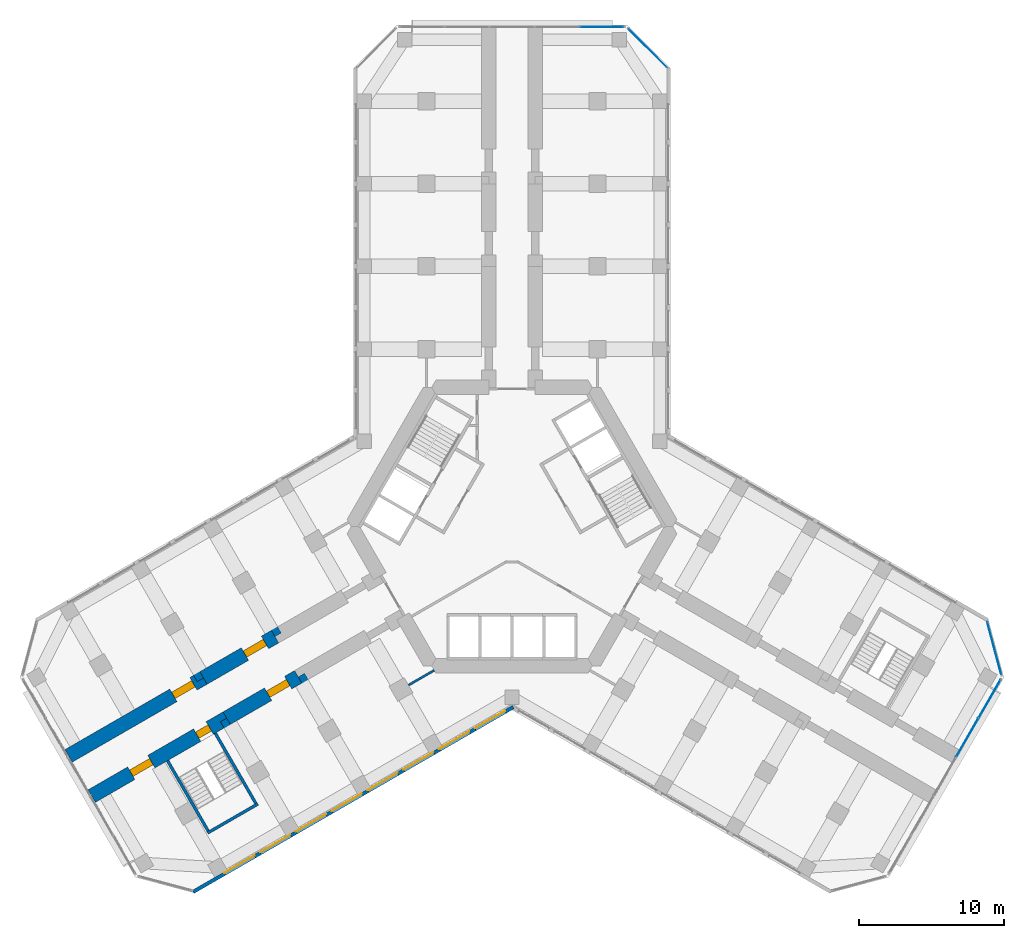
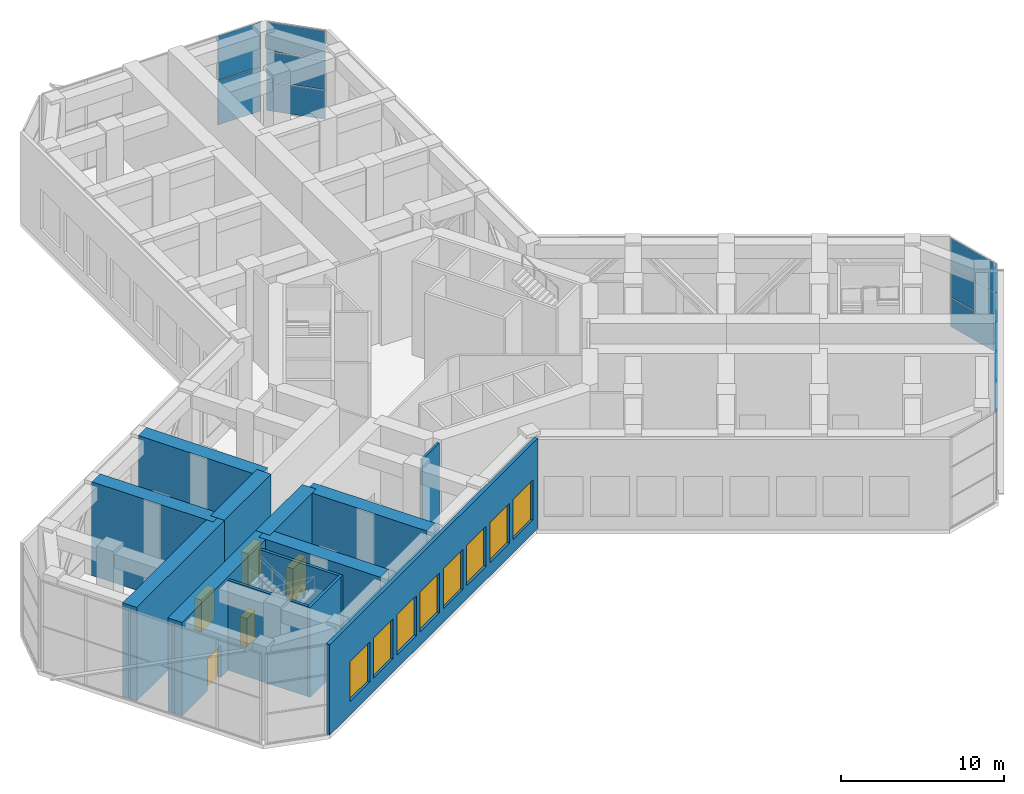
# One storey, part 10 of 17: 13 walls, 12 plates, 8 windows, 5 doors, 13 openings, 4 elements without a shape of their own.
"""IFC4 building model written with IfcOpenShell, lengths in metres."""

from ifc_helpers import new_model, si_unit, direction, frame, frame_2d, origin, origin_2d, place, context, subcontext, project, spatial, rectangle, extrude, material, layer, layer_set, type_object, element, fill, aggregate, save


model = new_model("IFC4")

# Units and contexts
model_context = context("Model", 3, precision=1e-05, world=origin(), true_north=direction((0.0, 1.0)))
body_context = subcontext(model_context, "Body", "Model", "MODEL_VIEW")
ifc_project = project(units=[si_unit("LENGTHUNIT", "METRE"), si_unit("AREAUNIT", "SQUARE_METRE"), si_unit("VOLUMEUNIT", "CUBIC_METRE"), si_unit("PLANEANGLEUNIT", "RADIAN"), si_unit("MASSUNIT", "GRAM", prefix="KILO")], contexts=[model_context])

# Site, building, storey
site_placement = place(None, origin())
site = spatial("IfcSite", under=ifc_project, at=site_placement, CompositionType="ELEMENT")
building_placement = place(site_placement, origin())
building = spatial("IfcBuilding", under=site, at=building_placement, Name="Kosmar Iwan School Tower", CompositionType="ELEMENT")
storey_placement = place(building_placement, frame((0.0, 0.0, 113.199951171875)))
storey = spatial("IfcBuildingStorey", under=building, at=storey_placement, Name="L28", CompositionType="ELEMENT", Elevation=113.199951171875)

# Curtain wall, plates
ifc_material_1 = material(Name="Black aluminium louvres and glass", Category="aluminium")
curtain_wall_type_1 = type_object("IfcCurtainWallType", Name="Plant floor louvred curtain wall", PredefinedType="USERDEFINED", material=ifc_material_1)
curtain_wall_1_placement = place(storey_placement, origin())
curtain_wall_1 = element("IfcCurtainWall", 1, at=curtain_wall_1_placement, inside=storey, type_object=curtain_wall_type_1, Name="Curtain wall L28-F03", ObjectType="LOUVRED CURTAIN WALL", PredefinedType="USERDEFINED")
ifc_material_2 = material(Name="Black anodised aluminium louvre blades", Category="aluminium")
ifc_layer_1 = layer(ifc_material_2, 0.050048828125)
ifc_layer_set_1 = layer_set([ifc_layer_1], Name="Aluminium louvre panel")
plate_type_1 = type_object("IfcPlateType", Name="Aluminium louvre panel", PredefinedType="SHEET", material=ifc_layer_set_1)
plate_1_placement = place(storey_placement, frame((31.40576171875, -14.553466796875, 0.06005859375), z_axis=(0.0, 0.0, 1.0), x_axis=(0.499999997325, 0.866025405329, 0.0)))
plate_1 = element("IfcPlate", 2, at=plate_1_placement, type_object=plate_type_1, Name="CW4 panel 4.1", PredefinedType="CURTAIN_PANEL", context=body_context, shape_type="SweptSolid", body=[
    extrude(rectangle(XDim=3.039306640625, YDim=0.050048828125, at=origin_2d()), origin(), (0.0, 0.0, 1.0), 3.284912109375),
])
plate_2_placement = place(storey_placement, frame((31.40576171875, -14.553466796875, 3.4052734375), z_axis=(0.0, 0.0, 1.0), x_axis=(0.499999997325, 0.866025405329, 0.0)))
plate_2 = element("IfcPlate", 3, at=plate_2_placement, type_object=plate_type_1, Name="CW4 panel 4.2", PredefinedType="CURTAIN_PANEL", context=body_context, shape_type="SweptSolid", body=[
    extrude(rectangle(XDim=3.039306640625, YDim=0.050048828125, at=origin_2d()), origin(), (0.0, 0.0, 1.0), 3.284912109375),
])
plate_3_placement = place(storey_placement, frame((32.947998046875, -11.88232421875, 0.06005859375), z_axis=(0.0, 0.0, 1.0), x_axis=(0.499999997325, 0.866025405329, 0.0)))
plate_3 = element("IfcPlate", 4, at=plate_3_placement, type_object=plate_type_1, Name="CW4 panel 5.1", PredefinedType="CURTAIN_PANEL", context=body_context, shape_type="SweptSolid", body=[
    extrude(rectangle(XDim=3.00927734375, YDim=0.050048828125, at=origin_2d()), origin(), (0.0, 0.0, 1.0), 3.284912109375),
])
plate_4_placement = place(storey_placement, frame((32.947998046875, -11.88232421875, 3.4052734375), z_axis=(0.0, 0.0, 1.0), x_axis=(0.499999997325, 0.866025405329, 0.0)))
plate_4 = element("IfcPlate", 5, at=plate_4_placement, type_object=plate_type_1, Name="CW4 panel 5.2", PredefinedType="CURTAIN_PANEL", context=body_context, shape_type="SweptSolid", body=[
    extrude(rectangle(XDim=3.00927734375, YDim=0.050048828125, at=origin_2d()), origin(), (0.0, 0.0, 1.0), 3.284912109375),
])
aggregate(curtain_wall_1, [plate_1, plate_2, plate_3, plate_4])

curtain_wall_2_placement = place(storey_placement, origin())
curtain_wall_2 = element("IfcCurtainWall", 6, at=curtain_wall_2_placement, inside=storey, type_object=curtain_wall_type_1, Name="Curtain wall L28-F08", ObjectType="LOUVRED CURTAIN WALL", PredefinedType="USERDEFINED")
plate_5_placement = place(storey_placement, frame((6.18359375, 34.47509765625, 0.06005859375), z_axis=(0.0, 0.0, 1.0), x_axis=(-1.0, 0.0, 0.0)))
plate_5 = element("IfcPlate", 7, at=plate_5_placement, type_object=plate_type_1, Name="CW4 panel 1.1", PredefinedType="CURTAIN_PANEL", context=body_context, shape_type="SweptSolid", body=[
    extrude(rectangle(XDim=3.00927734375, YDim=0.050048828125, at=origin_2d()), origin(), (0.0, 0.0, 1.0), 3.284912109375),
])
plate_6_placement = place(storey_placement, frame((6.18359375, 34.47509765625, 3.4052734375), z_axis=(0.0, 0.0, 1.0), x_axis=(-1.0, 0.0, 0.0)))
plate_6 = element("IfcPlate", 8, at=plate_6_placement, type_object=plate_type_1, Name="CW4 panel 1.2", PredefinedType="CURTAIN_PANEL", context=body_context, shape_type="SweptSolid", body=[
    extrude(rectangle(XDim=3.00927734375, YDim=0.050048828125, at=origin_2d()), origin(), (0.0, 0.0, 1.0), 3.284912109375),
])
aggregate(curtain_wall_2, [plate_5, plate_6])

ifc_material_3 = material(Name="Dark glass in black aluminium frame", Category="aluminium")
curtain_wall_type_2 = type_object("IfcCurtainWallType", Name="Chamfer curtain wall dark glass", PredefinedType="USERDEFINED", material=ifc_material_3)
curtain_wall_3_placement = place(storey_placement, origin())
curtain_wall_3 = element("IfcCurtainWall", 9, at=curtain_wall_3_placement, inside=storey, type_object=curtain_wall_type_2, Name="Curtain wall L28-F04", ObjectType="FACETED CURTAIN WALL", PredefinedType="USERDEFINED")
ifc_material_4 = material(Name="Dark glass", Category="glass")
ifc_layer_2 = layer(ifc_material_4, 0.028076171875)
ifc_layer_set_2 = layer_set([ifc_layer_2], Name="Dark glass panel 28")
plate_type_2 = type_object("IfcPlateType", Name="Dark glass panel 28", PredefinedType="CURTAIN_PANEL", material=ifc_layer_set_2)
plate_7_placement = place(storey_placement, frame((33.269775390625, -8.3984375, 0.06005859375), z_axis=(0.0, 0.0, 1.0), x_axis=(-0.258818861462, 0.965925875495, 0.0)))
plate_7 = element("IfcPlate", 10, at=plate_7_placement, type_object=plate_type_2, Name="CW2 panel 1.1", PredefinedType="CURTAIN_PANEL", context=body_context, shape_type="SweptSolid", body=[
    extrude(rectangle(XDim=3.718994140625, YDim=0.028076171875, at=origin_2d()), origin(), (0.0, 0.0, 1.0), 2.159912109375),
])
plate_8_placement = place(storey_placement, frame((33.269775390625, -8.3984375, 2.280029296875), z_axis=(0.0, 0.0, 1.0), x_axis=(-0.258818861462, 0.965925875495, 0.0)))
plate_8 = element("IfcPlate", 11, at=plate_8_placement, type_object=plate_type_2, Name="CW2 panel 1.2", PredefinedType="CURTAIN_PANEL", context=body_context, shape_type="SweptSolid", body=[
    extrude(rectangle(XDim=3.718994140625, YDim=0.028076171875, at=origin_2d()), origin(), (0.0, 0.0, 1.0), 2.18994140625),
])
plate_9_placement = place(storey_placement, frame((33.269775390625, -8.3984375, 4.5302734375), z_axis=(0.0, 0.0, 1.0), x_axis=(-0.258818861462, 0.965925875495, 0.0)))
plate_9 = element("IfcPlate", 12, at=plate_9_placement, type_object=plate_type_2, Name="CW2 panel 1.3", PredefinedType="CURTAIN_PANEL", context=body_context, shape_type="SweptSolid", body=[
    extrude(rectangle(XDim=3.718994140625, YDim=0.028076171875, at=origin_2d()), origin(), (0.0, 0.0, 1.0), 2.159912109375),
])
aggregate(curtain_wall_3, [plate_7, plate_8, plate_9])

curtain_wall_4_placement = place(storey_placement, origin())
curtain_wall_4 = element("IfcCurtainWall", 13, at=curtain_wall_4_placement, inside=storey, type_object=curtain_wall_type_2, Name="Curtain wall L28-F07", ObjectType="FACETED CURTAIN WALL", PredefinedType="USERDEFINED")
plate_10_placement = place(storey_placement, frame((9.361572265625, 33.01171875, 0.06005859375), z_axis=(0.0, 0.0, 1.0), x_axis=(-0.707106781187, 0.707106781187, 0.0)))
plate_10 = element("IfcPlate", 14, at=plate_10_placement, type_object=plate_type_2, Name="CW2 panel 1.1", PredefinedType="CURTAIN_PANEL", context=body_context, shape_type="SweptSolid", body=[
    extrude(rectangle(XDim=3.718994140625, YDim=0.028076171875, at=origin_2d()), origin(), (0.0, 0.0, 1.0), 2.159912109375),
])
plate_11_placement = place(storey_placement, frame((9.361572265625, 33.01171875, 2.280029296875), z_axis=(0.0, 0.0, 1.0), x_axis=(-0.707106781187, 0.707106781187, 0.0)))
plate_11 = element("IfcPlate", 15, at=plate_11_placement, type_object=plate_type_2, Name="CW2 panel 1.2", PredefinedType="CURTAIN_PANEL", context=body_context, shape_type="SweptSolid", body=[
    extrude(rectangle(XDim=3.718994140625, YDim=0.028076171875, at=origin_2d()), origin(), (0.0, 0.0, 1.0), 2.18994140625),
])
plate_12_placement = place(storey_placement, frame((9.361572265625, 33.01171875, 4.5302734375), z_axis=(0.0, 0.0, 1.0), x_axis=(-0.707106781187, 0.707106781187, 0.0)))
plate_12 = element("IfcPlate", 16, at=plate_12_placement, type_object=plate_type_2, Name="CW2 panel 1.3", PredefinedType="CURTAIN_PANEL", context=body_context, shape_type="SweptSolid", body=[
    extrude(rectangle(XDim=3.718994140625, YDim=0.028076171875, at=origin_2d()), origin(), (0.0, 0.0, 1.0), 2.159912109375),
])
aggregate(curtain_wall_4, [plate_10, plate_11, plate_12])

# Wall, opening, door
ifc_material_5 = material(Name="Concrete C50/60", Category="concrete")
ifc_layer_3 = layer(ifc_material_5, 1.0)
ifc_layer_set_3 = layer_set([ifc_layer_3], Name="Corridor buttress wall 1000")
wall_type_1 = type_object("IfcWallType", Name="Corridor buttress wall 1000", PredefinedType="SHEAR", material=ifc_layer_set_3)
wall_1_placement = place(storey_placement, frame((-14.7451171875, -10.360595703125, 0.0), z_axis=(0.0, 0.0, 1.0), x_axis=(-0.866015111908, -0.50001782563, 0.0)))
wall_1 = element("IfcWall", 17, at=wall_1_placement, inside=storey, type_object=wall_type_1, Name="Corridor wall BL bay 2", PredefinedType="SHEAR", context=body_context, shape_type="SweptSolid", body=[
    extrude(rectangle(XDim=5.699951171875, YDim=1.0, at=frame_2d((2.85009765625, 0.0))), origin(), (0.0, 0.0, 1.0), 7.0),
])
opening_1_placement = place(wall_1_placement, frame((0.800048828125, 0.0, 0.0)))
opening_1 = element("IfcOpeningElement", 18, at=opening_1_placement, cuts=wall_1, Name="Opening D5", PredefinedType="OPENING", context=body_context, shape_type="SweptSolid", body=[
    extrude(rectangle(XDim=1.60009765625, YDim=2.39990234375, at=frame_2d((0.800048828125, 1.199951171875))), frame((0.0, 0.511962890625, 0.0), z_axis=(0.0, -1.0, 0.0), x_axis=(1.0, 0.0, 0.0)), (0.0, 0.0, 1.0), 1.02392578125),
])
ifc_material_6 = material(Name="Steel fire door", Category="steel")
door_type_1 = type_object("IfcDoorType", Name="Plant room door pair 1600x2400", OperationType="DOUBLE_DOOR_SINGLE_SWING", PredefinedType="DOOR", material=ifc_material_6)
door_1_placement = place(opening_1_placement, origin())
door_1 = element("IfcDoor", 19, at=door_1_placement, inside=storey, type_object=door_type_1, Name="Air handling plant room door L28-BL2", OperationType="DOUBLE_DOOR_SINGLE_SWING", OverallHeight=2.39990234375, OverallWidth=1.60009765625, PredefinedType="DOOR", context=body_context, shape_type="SweptSolid", body=[
    extrude(rectangle(XDim=1.60009765625, YDim=2.39990234375, at=frame_2d((0.800048828125, 1.199951171875))), frame((0.0, 0.25, 0.0), z_axis=(0.0, -1.0, 0.0), x_axis=(1.0, 0.0, 0.0)), (0.0, 0.0, 1.0), 0.5),
])
fill(opening_1, door_1)

# Wall, openings, doors
wall_2_placement = place(storey_placement, frame((-19.681396484375, -13.210693359375, 0.0), z_axis=(0.0, 0.0, 1.0), x_axis=(-0.866028186671, -0.499995179869, 0.0)))
wall_2 = element("IfcWall", 20, at=wall_2_placement, inside=storey, type_object=wall_type_1, Name="Corridor wall BL bay 3", PredefinedType="SHEAR", context=body_context, shape_type="SweptSolid", body=[
    extrude(rectangle(XDim=10.7451171875, YDim=1.0, at=frame_2d((5.37255859375, 0.0))), origin(), (0.0, 0.0, 1.0), 7.0),
])
opening_2_placement = place(wall_2_placement, frame((6.0, 0.0, 0.0)))
opening_2 = element("IfcOpeningElement", 21, at=opening_2_placement, cuts=wall_2, Name="Opening D5", PredefinedType="OPENING", context=body_context, shape_type="SweptSolid", body=[
    extrude(rectangle(XDim=1.60009765625, YDim=2.39990234375, at=frame_2d((0.800048828125, 1.199951171875))), frame((0.0, 0.511962890625, 0.0), z_axis=(0.0, -1.0, 0.0), x_axis=(1.0, 0.0, 0.0)), (0.0, 0.0, 1.0), 1.02392578125),
])
opening_3_placement = place(wall_2_placement, frame((1.35009765625, 0.0, 0.0)))
opening_3 = element("IfcOpeningElement", 22, at=opening_3_placement, cuts=wall_2, Name="Opening D6", PredefinedType="OPENING", context=body_context, shape_type="SweptSolid", body=[
    extrude(rectangle(XDim=1.0, YDim=2.10009765625, at=frame_2d((0.5, 1.050048828125))), frame((0.0, 0.511962890625, 0.0), z_axis=(0.0, -1.0, 0.0), x_axis=(1.0, 0.0, 0.0)), (0.0, 0.0, 1.0), 1.02392578125),
])
door_2_placement = place(opening_2_placement, origin())
door_2 = element("IfcDoor", 23, at=door_2_placement, inside=storey, type_object=door_type_1, Name="Water tank room door L28-BL3", OperationType="DOUBLE_DOOR_SINGLE_SWING", OverallHeight=2.39990234375, OverallWidth=1.60009765625, PredefinedType="DOOR", context=body_context, shape_type="SweptSolid", body=[
    extrude(rectangle(XDim=1.60009765625, YDim=2.39990234375, at=frame_2d((0.800048828125, 1.199951171875))), frame((0.0, 0.25, 0.0), z_axis=(0.0, -1.0, 0.0), x_axis=(1.0, 0.0, 0.0)), (0.0, 0.0, 1.0), 0.5),
])
fill(opening_2, door_2)
ifc_material_7 = material(Name="Steel fire door", Category="steel")
door_type_2 = type_object("IfcDoorType", Name="Stair door 1000x2100", OperationType="SINGLE_SWING_LEFT", PredefinedType="DOOR", material=ifc_material_7)
door_3_placement = place(opening_3_placement, origin())
door_3 = element("IfcDoor", 24, at=door_3_placement, inside=storey, type_object=door_type_2, Name="Stair WS2 door L28", OperationType="SINGLE_SWING_LEFT", OverallHeight=2.10009765625, OverallWidth=1.0, PredefinedType="DOOR", context=body_context, shape_type="SweptSolid", body=[
    extrude(rectangle(XDim=1.0, YDim=2.10009765625, at=frame_2d((0.5, 1.050048828125))), frame((0.0, 0.25, 0.0), z_axis=(0.0, -1.0, 0.0), x_axis=(1.0, 0.0, 0.0)), (0.0, 0.0, 1.0), 0.5),
])
fill(opening_3, door_3)

# Wall, opening, door
wall_3_placement = place(storey_placement, frame((-16.34521484375, -7.58935546875, 0.0), z_axis=(0.0, 0.0, 1.0), x_axis=(-0.866015111908, -0.50001782563, 0.0)))
wall_3 = element("IfcWall", 25, at=wall_3_placement, inside=storey, type_object=wall_type_1, Name="Corridor wall BR bay 2", PredefinedType="SHEAR", context=body_context, shape_type="SweptSolid", body=[
    extrude(rectangle(XDim=5.699951171875, YDim=1.0, at=frame_2d((2.85009765625, 0.0))), origin(), (0.0, 0.0, 1.0), 7.0),
])
opening_4_placement = place(wall_3_placement, frame((0.800048828125, 0.0, 0.0)))
opening_4 = element("IfcOpeningElement", 26, at=opening_4_placement, cuts=wall_3, Name="Opening D5", PredefinedType="OPENING", context=body_context, shape_type="SweptSolid", body=[
    extrude(rectangle(XDim=1.60009765625, YDim=2.39990234375, at=frame_2d((0.800048828125, 1.199951171875))), frame((0.0, 0.511962890625, 0.0), z_axis=(0.0, -1.0, 0.0), x_axis=(1.0, 0.0, 0.0)), (0.0, 0.0, 1.0), 1.02392578125),
])
door_4_placement = place(opening_4_placement, origin())
door_4 = element("IfcDoor", 27, at=door_4_placement, inside=storey, type_object=door_type_1, Name="Air handling plant room door L28-BR2", OperationType="DOUBLE_DOOR_SINGLE_SWING", OverallHeight=2.39990234375, OverallWidth=1.60009765625, PredefinedType="DOOR", context=body_context, shape_type="SweptSolid", body=[
    extrude(rectangle(XDim=1.60009765625, YDim=2.39990234375, at=frame_2d((0.800048828125, 1.199951171875))), frame((0.0, 0.25, 0.0), z_axis=(0.0, -1.0, 0.0), x_axis=(1.0, 0.0, 0.0)), (0.0, 0.0, 1.0), 0.5),
])
fill(opening_4, door_4)

wall_4_placement = place(storey_placement, frame((-21.281494140625, -10.439453125, 0.0), z_axis=(0.0, 0.0, 1.0), x_axis=(-0.866032345022, -0.499987977232, 0.0)))
wall_4 = element("IfcWall", 28, at=wall_4_placement, inside=storey, type_object=wall_type_1, Name="Corridor wall BR bay 3", PredefinedType="SHEAR", context=body_context, shape_type="SweptSolid", body=[
    extrude(rectangle(XDim=10.744873046875, YDim=1.0, at=frame_2d((5.37255859375, 0.0))), origin(), (0.0, 0.0, 1.0), 7.0),
])
opening_5_placement = place(wall_4_placement, frame((0.800048828125, 0.0, 0.0)))
opening_5 = element("IfcOpeningElement", 29, at=opening_5_placement, cuts=wall_4, Name="Opening D5", PredefinedType="OPENING", context=body_context, shape_type="SweptSolid", body=[
    extrude(rectangle(XDim=1.60009765625, YDim=2.39990234375, at=frame_2d((0.800048828125, 1.199951171875))), frame((0.0, 0.511962890625, 0.0), z_axis=(0.0, -1.0, 0.0), x_axis=(1.0, 0.0, 0.0)), (0.0, 0.0, 1.0), 1.02392578125),
])
door_5_placement = place(opening_5_placement, origin())
door_5 = element("IfcDoor", 30, at=door_5_placement, inside=storey, type_object=door_type_1, Name="Water tank room door L28-BR3", OperationType="DOUBLE_DOOR_SINGLE_SWING", OverallHeight=2.39990234375, OverallWidth=1.60009765625, PredefinedType="DOOR", context=body_context, shape_type="SweptSolid", body=[
    extrude(rectangle(XDim=1.60009765625, YDim=2.39990234375, at=frame_2d((0.800048828125, 1.199951171875))), frame((0.0, 0.25, 0.0), z_axis=(0.0, -1.0, 0.0), x_axis=(1.0, 0.0, 0.0)), (0.0, 0.0, 1.0), 0.5),
])
fill(opening_5, door_5)

# Walls
ifc_material_8 = material(Name="Concrete C35/45", Category="concrete")
ifc_layer_4 = layer(ifc_material_8, 0.199951171875)
ifc_layer_set_4 = layer_set([ifc_layer_4], Name="Escape stair wall 200")
wall_type_2 = type_object("IfcWallType", Name="Escape stair wall 200", PredefinedType="SHEAR", material=ifc_layer_set_4)
for number, where, z_axis, x_axis, name in (
    (31, (-20.470703125, -14.24365234375, 0.0), (0.0, 0.0, 1.0), (0.499987231761, -0.866032775405, 0.0), "Stair WS2 wall"),
    (32, (-23.76171875, -16.1435546875, 0.0), (0.0, 0.0, 1.0), (0.500018801468, -0.86601454848, 0.0), "Stair WS2 wall"),
):
    element("IfcWall", number, at=place(storey_placement, frame(where, z_axis=z_axis, x_axis=x_axis)), inside=storey, type_object=wall_type_2, Name=name, PredefinedType="SHEAR", context=body_context, shape_type="SweptSolid", body=[
        extrude(rectangle(XDim=5.800048828125, YDim=0.199951171875, at=frame_2d((2.89990234375, 0.0))), origin(), (0.0, 0.0, 1.0), 6.72998046875),
    ])
wall_5_placement = place(storey_placement, frame((-17.5341796875, -19.1298828125, 0.0), z_axis=(0.0, 0.0, 1.0), x_axis=(-0.866026010844, -0.49999894854, 0.0)))
element("IfcWall", 33, at=wall_5_placement, inside=storey, type_object=wall_type_2, Name="Stair WS2 wall", PredefinedType="SHEAR", context=body_context, shape_type="SweptSolid", body=[
    extrude(rectangle(XDim=4.0, YDim=0.199951171875, at=frame_2d((2.0, 0.0))), origin(), (0.0, 0.0, 1.0), 6.72998046875),
])

# Wall, openings, windows
ifc_material_9 = material(Name="Black aluminium rainscreen on insulated framing", Category="aluminium")
ifc_layer_5 = layer(ifc_material_9, 0.25)
ifc_layer_set_5 = layer_set([ifc_layer_5], Name="External wall rainscreen 250")
wall_type_3 = type_object("IfcWallType", Name="External wall rainscreen 250", PredefinedType="SOLIDWALL", material=ifc_layer_set_5)
wall_6_placement = place(storey_placement, frame((0.088134765625, -12.44873046875, 0.0), z_axis=(0.0, 0.0, 1.0), x_axis=(-0.866026390279, -0.499998291337, 0.0)))
wall_6 = element("IfcWall", 34, at=wall_6_placement, inside=storey, type_object=wall_type_3, Name="External wall BL L28", PredefinedType="SOLIDWALL", context=body_context, shape_type="SweptSolid", body=[
    extrude(rectangle(XDim=25.4873046875, YDim=0.25, at=frame_2d((12.74365234375, 0.0))), origin(), (0.0, 0.0, 1.0), 6.75),
])
opening_6_placement = place(wall_6_placement, frame((0.626953125, 0.0, 1.0)))
opening_6 = element("IfcOpeningElement", 35, at=opening_6_placement, cuts=wall_6, Name="Opening LV1", PredefinedType="OPENING", context=body_context, shape_type="SweptSolid", body=[
    extrude(rectangle(XDim=2.39990234375, YDim=3.0, at=frame_2d((1.199951171875, 1.5))), frame((0.0, 0.136962890625, 0.0), z_axis=(0.0, -1.0, 0.0), x_axis=(1.0, 0.0, 0.0)), (0.0, 0.0, 1.0), 0.27392578125),
])
opening_7_placement = place(wall_6_placement, frame((3.47705078125, 0.0, 1.0)))
opening_7 = element("IfcOpeningElement", 36, at=opening_7_placement, cuts=wall_6, Name="Opening LV1", PredefinedType="OPENING", context=body_context, shape_type="SweptSolid", body=[
    extrude(rectangle(XDim=2.39990234375, YDim=3.0, at=frame_2d((1.199951171875, 1.5))), frame((0.0, 0.136962890625, 0.0), z_axis=(0.0, -1.0, 0.0), x_axis=(1.0, 0.0, 0.0)), (0.0, 0.0, 1.0), 0.27392578125),
])
opening_8_placement = place(wall_6_placement, frame((6.326904296875, 0.0, 1.0)))
opening_8 = element("IfcOpeningElement", 37, at=opening_8_placement, cuts=wall_6, Name="Opening LV1", PredefinedType="OPENING", context=body_context, shape_type="SweptSolid", body=[
    extrude(rectangle(XDim=2.39990234375, YDim=3.0, at=frame_2d((1.199951171875, 1.5))), frame((0.0, 0.136962890625, 0.0), z_axis=(0.0, -1.0, 0.0), x_axis=(1.0, 0.0, 0.0)), (0.0, 0.0, 1.0), 0.27392578125),
])
opening_9_placement = place(wall_6_placement, frame((9.177001953125, 0.0, 1.0)))
opening_9 = element("IfcOpeningElement", 38, at=opening_9_placement, cuts=wall_6, Name="Opening LV1", PredefinedType="OPENING", context=body_context, shape_type="SweptSolid", body=[
    extrude(rectangle(XDim=2.39990234375, YDim=3.0, at=frame_2d((1.199951171875, 1.5))), frame((0.0, 0.136962890625, 0.0), z_axis=(0.0, -1.0, 0.0), x_axis=(1.0, 0.0, 0.0)), (0.0, 0.0, 1.0), 0.27392578125),
])
opening_10_placement = place(wall_6_placement, frame((12.027099609375, 0.0, 1.0)))
opening_10 = element("IfcOpeningElement", 39, at=opening_10_placement, cuts=wall_6, Name="Opening LV1", PredefinedType="OPENING", context=body_context, shape_type="SweptSolid", body=[
    extrude(rectangle(XDim=2.39990234375, YDim=3.0, at=frame_2d((1.199951171875, 1.5))), frame((0.0, 0.136962890625, 0.0), z_axis=(0.0, -1.0, 0.0), x_axis=(1.0, 0.0, 0.0)), (0.0, 0.0, 1.0), 0.27392578125),
])
opening_11_placement = place(wall_6_placement, frame((14.876953125, 0.0, 1.0)))
opening_11 = element("IfcOpeningElement", 40, at=opening_11_placement, cuts=wall_6, Name="Opening LV1", PredefinedType="OPENING", context=body_context, shape_type="SweptSolid", body=[
    extrude(rectangle(XDim=2.39990234375, YDim=3.0, at=frame_2d((1.199951171875, 1.5))), frame((0.0, 0.136962890625, 0.0), z_axis=(0.0, -1.0, 0.0), x_axis=(1.0, 0.0, 0.0)), (0.0, 0.0, 1.0), 0.27392578125),
])
opening_12_placement = place(wall_6_placement, frame((17.72705078125, 0.0, 1.0)))
opening_12 = element("IfcOpeningElement", 41, at=opening_12_placement, cuts=wall_6, Name="Opening LV1", PredefinedType="OPENING", context=body_context, shape_type="SweptSolid", body=[
    extrude(rectangle(XDim=2.39990234375, YDim=3.0, at=frame_2d((1.199951171875, 1.5))), frame((0.0, 0.136962890625, 0.0), z_axis=(0.0, -1.0, 0.0), x_axis=(1.0, 0.0, 0.0)), (0.0, 0.0, 1.0), 0.27392578125),
])
opening_13_placement = place(wall_6_placement, frame((20.576904296875, 0.0, 1.0)))
opening_13 = element("IfcOpeningElement", 42, at=opening_13_placement, cuts=wall_6, Name="Opening LV1", PredefinedType="OPENING", context=body_context, shape_type="SweptSolid", body=[
    extrude(rectangle(XDim=2.39990234375, YDim=3.0, at=frame_2d((1.199951171875, 1.5))), frame((0.0, 0.136962890625, 0.0), z_axis=(0.0, -1.0, 0.0), x_axis=(1.0, 0.0, 0.0)), (0.0, 0.0, 1.0), 0.27392578125),
])
ifc_material_10 = material(Name="Black aluminium louvre", Category="aluminium")
window_type = type_object("IfcWindowType", Name="Plant louvre 2400x3000", PartitioningType="SINGLE_PANEL", PredefinedType="USERDEFINED", material=ifc_material_10)
window_1_placement = place(opening_6_placement, origin())
window_1 = element("IfcWindow", 43, at=window_1_placement, inside=storey, type_object=window_type, Name="Window BL L28 -1", ObjectType="LOUVRE", OverallHeight=3.0, OverallWidth=2.39990234375, PartitioningType="SINGLE_PANEL", PredefinedType="USERDEFINED", context=body_context, shape_type="SweptSolid", body=[
    extrude(rectangle(XDim=2.39990234375, YDim=3.0, at=frame_2d((1.199951171875, 1.5))), frame((0.0, -0.050048828125, 0.0), z_axis=(0.0, -1.0, 0.0), x_axis=(1.0, 0.0, 0.0)), (0.0, 0.0, 1.0), 0.02001953125),
])
fill(opening_6, window_1)
window_2_placement = place(opening_7_placement, origin())
window_2 = element("IfcWindow", 44, at=window_2_placement, inside=storey, type_object=window_type, Name="Window BL L28 0", ObjectType="LOUVRE", OverallHeight=3.0, OverallWidth=2.39990234375, PartitioningType="SINGLE_PANEL", PredefinedType="USERDEFINED", context=body_context, shape_type="SweptSolid", body=[
    extrude(rectangle(XDim=2.39990234375, YDim=3.0, at=frame_2d((1.199951171875, 1.5))), frame((0.0, -0.050048828125, 0.0), z_axis=(0.0, -1.0, 0.0), x_axis=(1.0, 0.0, 0.0)), (0.0, 0.0, 1.0), 0.02001953125),
])
fill(opening_7, window_2)
window_3_placement = place(opening_8_placement, origin())
window_3 = element("IfcWindow", 45, at=window_3_placement, inside=storey, type_object=window_type, Name="Window BL L28 1", ObjectType="LOUVRE", OverallHeight=3.0, OverallWidth=2.39990234375, PartitioningType="SINGLE_PANEL", PredefinedType="USERDEFINED", context=body_context, shape_type="SweptSolid", body=[
    extrude(rectangle(XDim=2.39990234375, YDim=3.0, at=frame_2d((1.199951171875, 1.5))), frame((0.0, -0.050048828125, 0.0), z_axis=(0.0, -1.0, 0.0), x_axis=(1.0, 0.0, 0.0)), (0.0, 0.0, 1.0), 0.02001953125),
])
fill(opening_8, window_3)
window_4_placement = place(opening_9_placement, origin())
window_4 = element("IfcWindow", 46, at=window_4_placement, inside=storey, type_object=window_type, Name="Window BL L28 2", ObjectType="LOUVRE", OverallHeight=3.0, OverallWidth=2.39990234375, PartitioningType="SINGLE_PANEL", PredefinedType="USERDEFINED", context=body_context, shape_type="SweptSolid", body=[
    extrude(rectangle(XDim=2.39990234375, YDim=3.0, at=frame_2d((1.199951171875, 1.5))), frame((0.0, -0.050048828125, 0.0), z_axis=(0.0, -1.0, 0.0), x_axis=(1.0, 0.0, 0.0)), (0.0, 0.0, 1.0), 0.02001953125),
])
fill(opening_9, window_4)
window_5_placement = place(opening_10_placement, origin())
window_5 = element("IfcWindow", 47, at=window_5_placement, inside=storey, type_object=window_type, Name="Window BL L28 3", ObjectType="LOUVRE", OverallHeight=3.0, OverallWidth=2.39990234375, PartitioningType="SINGLE_PANEL", PredefinedType="USERDEFINED", context=body_context, shape_type="SweptSolid", body=[
    extrude(rectangle(XDim=2.39990234375, YDim=3.0, at=frame_2d((1.199951171875, 1.5))), frame((0.0, -0.050048828125, 0.0), z_axis=(0.0, -1.0, 0.0), x_axis=(1.0, 0.0, 0.0)), (0.0, 0.0, 1.0), 0.02001953125),
])
fill(opening_10, window_5)
window_6_placement = place(opening_11_placement, origin())
window_6 = element("IfcWindow", 48, at=window_6_placement, inside=storey, type_object=window_type, Name="Window BL L28 4", ObjectType="LOUVRE", OverallHeight=3.0, OverallWidth=2.39990234375, PartitioningType="SINGLE_PANEL", PredefinedType="USERDEFINED", context=body_context, shape_type="SweptSolid", body=[
    extrude(rectangle(XDim=2.39990234375, YDim=3.0, at=frame_2d((1.199951171875, 1.5))), frame((0.0, -0.050048828125, 0.0), z_axis=(0.0, -1.0, 0.0), x_axis=(1.0, 0.0, 0.0)), (0.0, 0.0, 1.0), 0.02001953125),
])
fill(opening_11, window_6)
window_7_placement = place(opening_12_placement, origin())
window_7 = element("IfcWindow", 49, at=window_7_placement, inside=storey, type_object=window_type, Name="Window BL L28 5", ObjectType="LOUVRE", OverallHeight=3.0, OverallWidth=2.39990234375, PartitioningType="SINGLE_PANEL", PredefinedType="USERDEFINED", context=body_context, shape_type="SweptSolid", body=[
    extrude(rectangle(XDim=2.39990234375, YDim=3.0, at=frame_2d((1.199951171875, 1.5))), frame((0.0, -0.050048828125, 0.0), z_axis=(0.0, -1.0, 0.0), x_axis=(1.0, 0.0, 0.0)), (0.0, 0.0, 1.0), 0.02001953125),
])
fill(opening_12, window_7)
window_8_placement = place(opening_13_placement, origin())
window_8 = element("IfcWindow", 50, at=window_8_placement, inside=storey, type_object=window_type, Name="Window BL L28 6", ObjectType="LOUVRE", OverallHeight=3.0, OverallWidth=2.39990234375, PartitioningType="SINGLE_PANEL", PredefinedType="USERDEFINED", context=body_context, shape_type="SweptSolid", body=[
    extrude(rectangle(XDim=2.39990234375, YDim=3.0, at=frame_2d((1.199951171875, 1.5))), frame((0.0, -0.050048828125, 0.0), z_axis=(0.0, -1.0, 0.0), x_axis=(1.0, 0.0, 0.0)), (0.0, 0.0, 1.0), 0.02001953125),
])
fill(opening_13, window_8)

# Walls
ifc_material_11 = material(Name="Concrete C50/60", Category="concrete")
ifc_layer_6 = layer(ifc_material_11, 1.0)
ifc_layer_set_6 = layer_set([ifc_layer_6], Name="Outrigger wall 1000")
wall_type_4 = type_object("IfcWallType", Name="Outrigger wall 1000", PredefinedType="SHEAR", material=ifc_layer_set_6)
for number, where, z_axis, x_axis, name in (
    (51, (-14.7451171875, -10.360595703125, 0.0), (0.0, 0.0, 1.0), (0.500007509209, -0.866021068297, 0.0), "Outrigger wall BL"),
    (52, (-19.681396484375, -13.210693359375, 0.0), (0.0, 0.0, 1.0), (0.499986217557, -0.866033360935, 0.0), "Outrigger wall BL"),
    (53, (-16.34521484375, -7.58935546875, 0.0), (0.0, 0.0, 1.0), (-0.500007509209, 0.866021068297, 0.0), "Outrigger wall BR"),
):
    element("IfcWall", number, at=place(storey_placement, frame(where, z_axis=z_axis, x_axis=x_axis)), inside=storey, type_object=wall_type_4, Name=name, PredefinedType="SHEAR", context=body_context, shape_type="SweptSolid", body=[
        extrude(rectangle(XDim=8.599853515625, YDim=1.0, at=frame_2d((4.2998046875, 0.0))), origin(), (0.0, 0.0, 1.0), 7.0),
    ])
wall_7_placement = place(storey_placement, frame((-21.281494140625, -10.439453125, 0.0), z_axis=(0.0, 0.0, 1.0), x_axis=(-0.499995216735, 0.866028165386, 0.0)))
element("IfcWall", 54, at=wall_7_placement, inside=storey, type_object=wall_type_4, Name="Outrigger wall BR", PredefinedType="SHEAR", context=body_context, shape_type="SweptSolid", body=[
    extrude(rectangle(XDim=8.60009765625, YDim=1.0, at=frame_2d((4.300048828125, 0.0))), origin(), (0.0, 0.0, 1.0), 7.0),
])
ifc_material_12 = material(Name="Gypsum board on steel studs", Category="steel")
ifc_layer_7 = layer(ifc_material_12, 0.14990234375)
ifc_layer_set_7 = layer_set([ifc_layer_7], Name="School partition 150")
wall_type_5 = type_object("IfcWallType", Name="School partition 150", PredefinedType="PARTITIONING", material=ifc_layer_set_7)
wall_8_placement = place(storey_placement, frame((-5.36376953125, -9.909423828125, 0.0), z_axis=(0.0, 0.0, 1.0), x_axis=(-0.865999163574, -0.500045446624, 0.0)))
element("IfcWall", 55, at=wall_8_placement, inside=storey, type_object=wall_type_5, Name="Partition L28-BL-NB", PredefinedType="PARTITIONING", context=body_context, shape_type="SweptSolid", body=[
    extrude(rectangle(XDim=2.050048828125, YDim=0.14990234375, at=frame_2d((1.02490234375, 0.0))), origin(), (0.0, 0.0, 1.0), 6.75),
])

save(model, "model.ifc")
